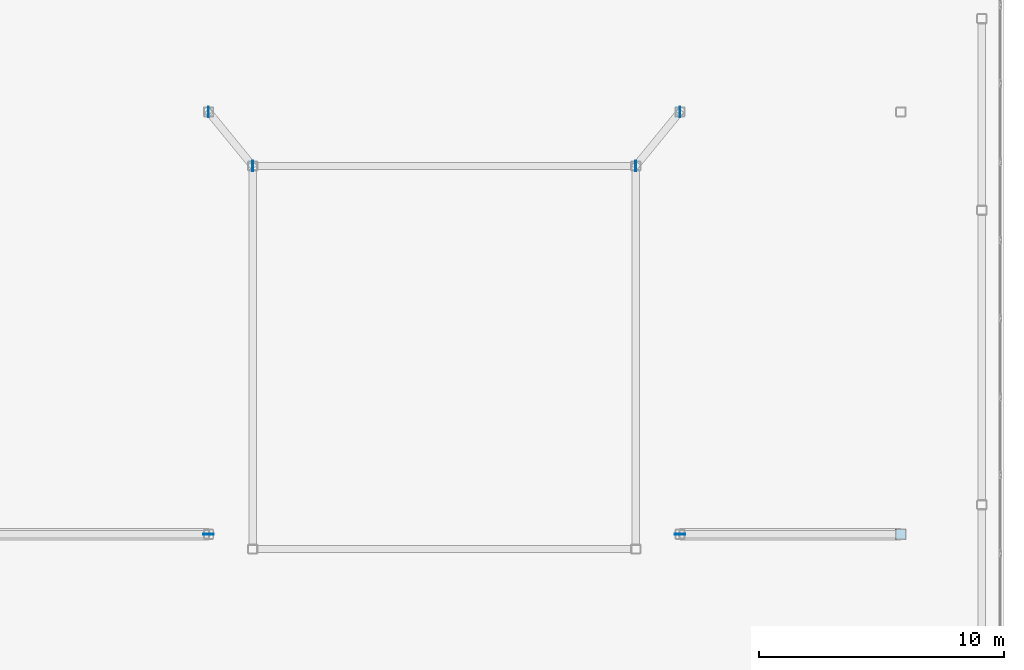
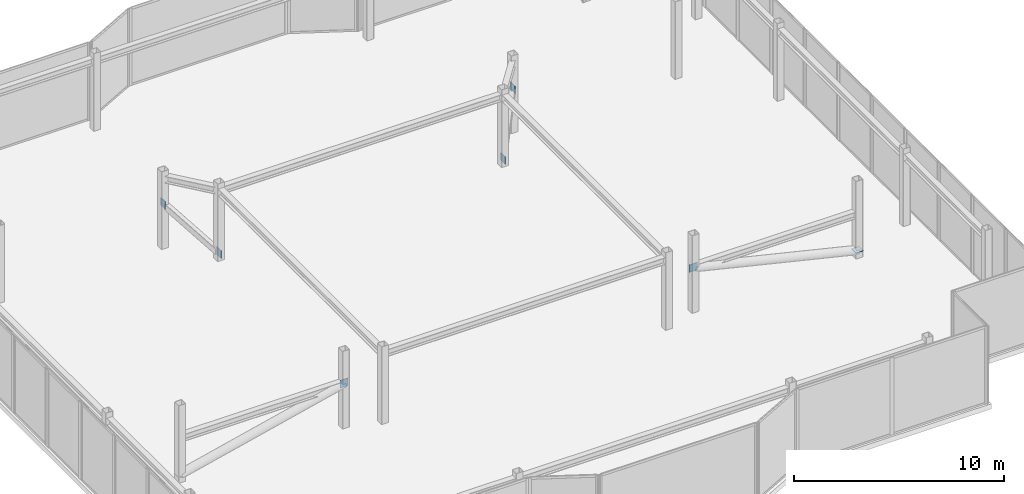
# One storey, part 14 of 14: 7 plates.
"""IFC4 building model written with IfcOpenShell, lengths in metres."""

from ifc_helpers import new_model, si_unit, direction, frame, origin, origin_2d, place, context, subcontext, project, spatial, rectangle, extrude, material, layer, layer_set, type_object, element, save


model = new_model("IFC4")

# Units and contexts
model_context = context("Model", 3, precision=1e-05, world=origin(), true_north=direction((0.0, 1.0)))
body_context = subcontext(model_context, "Body", "Model", "MODEL_VIEW")
ifc_project = project(units=[si_unit("LENGTHUNIT", "METRE"), si_unit("AREAUNIT", "SQUARE_METRE"), si_unit("VOLUMEUNIT", "CUBIC_METRE"), si_unit("PLANEANGLEUNIT", "RADIAN"), si_unit("MASSUNIT", "GRAM", prefix="KILO")], contexts=[model_context])

# Site, building, storey
site_placement = place(None, origin())
site = spatial("IfcSite", under=ifc_project, at=site_placement, CompositionType="ELEMENT")
building_placement = place(site_placement, origin())
building = spatial("IfcBuilding", under=site, at=building_placement, Name="Tarnavaz Court Tower", CompositionType="ELEMENT")
storey_placement = place(building_placement, frame((0.0, 0.0, 286.050048828125)))
storey = spatial("IfcBuildingStorey", under=building, at=storey_placement, Name="C02", CompositionType="ELEMENT", Elevation=286.050048828125)

# Plates
ifc_material = material(Name="Steel S355", Category="steel")
ifc_layer_1 = layer(ifc_material, 0.02490234375)
ifc_layer_set_1 = layer_set([ifc_layer_1], Name="Steel S355")
plate_type_1 = type_object("IfcPlateType", Name="PL-CAP-25", PredefinedType="USERDEFINED", material=ifc_layer_set_1)
plate_placement = place(storey_placement, frame((18.60009765625, -7.199951171875, 0.33740234375), z_axis=(0.0, 0.0, 1.0), x_axis=(1.0, 0.0, 0.0)))
element("IfcPlate", 1, at=plate_placement, inside=storey, type_object=plate_type_1, Name="C02 Crown Brace Node Cap Plate E", ObjectType="CAP PLATE", PredefinedType="USERDEFINED", context=body_context, shape_type="SweptSolid", body=[
    extrude(rectangle(XDim=0.419921875, YDim=0.419921875, at=origin_2d()), origin(), (0.0, 0.0, 1.0), 0.02490234375),
])
ifc_layer_2 = layer(ifc_material, 0.030029296875)
ifc_layer_set_2 = layer_set([ifc_layer_2], Name="Steel S355")
plate_type_2 = type_object("IfcPlateType", Name="PL-GUSSET-30", PredefinedType="USERDEFINED", material=ifc_layer_set_2)
for number, where, z_axis, x_axis, name in (
    (2, (-9.60009765625, -7.199951171875, 2.280029296875), (0.0, 0.0, 1.0), (1.0, 0.0, 0.0), "C02 Structural Brace & Strut End Gusset Plate 149"),
    (3, (9.60009765625, -7.199951171875, 2.280029296875), (0.0, 0.0, 1.0), (1.0, 0.0, 0.0), "C02 Structural Brace & Strut End Gusset Plate 150"),
    (4, (-7.800048828125, 7.800048828125, 0.1298828125), (0.0, 0.0, 1.0), (0.0, 1.0, 0.0), "C02 Structural Brace & Strut End Gusset Plate 151"),
    (5, (-9.60009765625, 10.0, 2.280029296875), (0.0, 0.0, 1.0), (0.0, 1.0, 0.0), "C02 Structural Brace & Strut End Gusset Plate 152"),
    (6, (7.800048828125, 7.800048828125, 0.1298828125), (0.0, 0.0, 1.0), (0.0, 1.0, 0.0), "C02 Structural Brace & Strut End Gusset Plate 153"),
    (7, (9.60009765625, 10.0, 2.280029296875), (0.0, 0.0, 1.0), (0.0, 1.0, 0.0), "C02 Structural Brace & Strut End Gusset Plate 154"),
):
    element("IfcPlate", number, at=place(storey_placement, frame(where, z_axis=z_axis, x_axis=x_axis)), inside=storey, type_object=plate_type_2, Name=name, ObjectType="GUSSET PLATE", PredefinedType="USERDEFINED", context=body_context, shape_type="SweptSolid", body=[
        extrude(rectangle(XDim=0.43994140625, YDim=0.030029296875, at=origin_2d()), origin(), (0.0, 0.0, 1.0), 0.43994140625),
    ])

save(model, "model.ifc")
